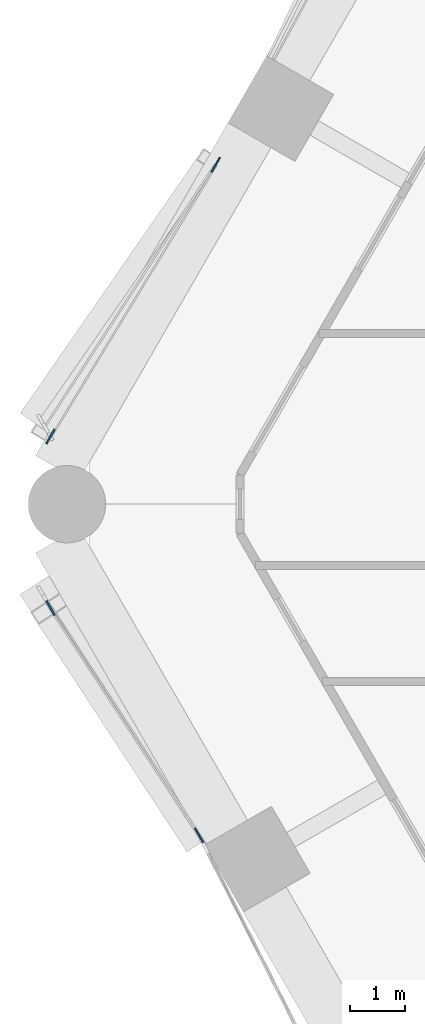
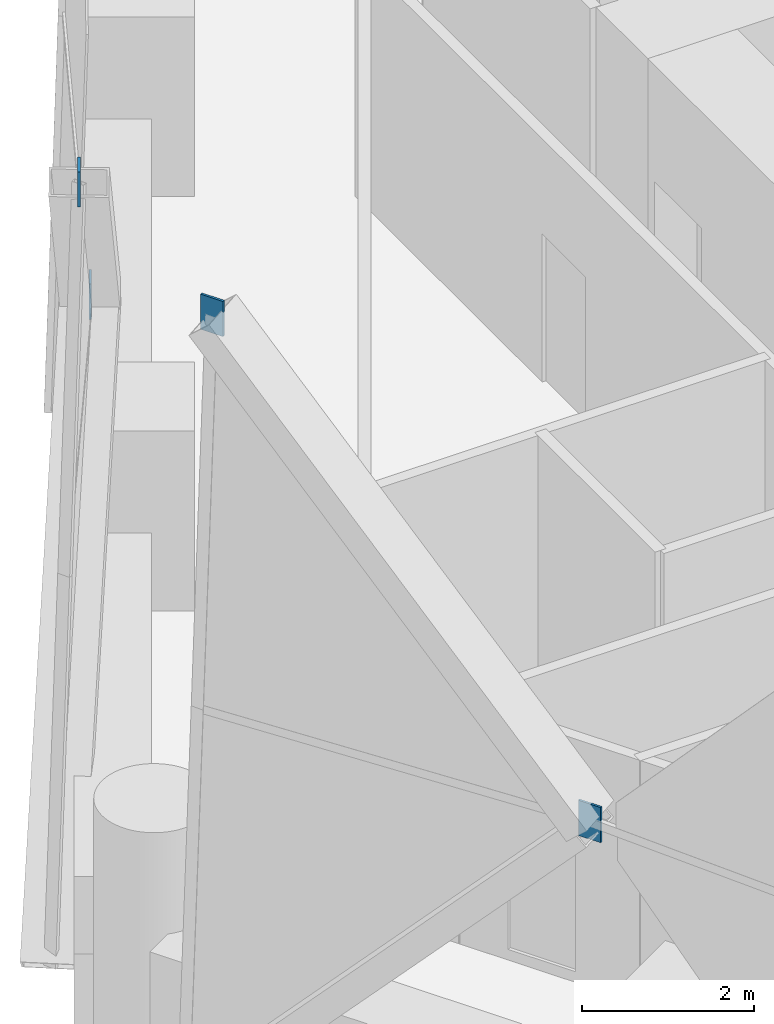
# One storey, part 14 of 16: 4 discrete accessories.
"""IFC4 building model written with IfcOpenShell, lengths in metres."""

from ifc_helpers import new_model, si_unit, direction, frame, origin, origin_2d, place, context, subcontext, project, spatial, rectangle, extrude, material, layer, layer_set, type_object, element, save


model = new_model("IFC4")

# Units and contexts
model_context = context("Model", 3, precision=1e-05, world=origin(), true_north=direction((0.0, 1.0)))
body_context = subcontext(model_context, "Body", "Model", "MODEL_VIEW")
ifc_project = project(units=[si_unit("LENGTHUNIT", "METRE"), si_unit("AREAUNIT", "SQUARE_METRE"), si_unit("VOLUMEUNIT", "CUBIC_METRE"), si_unit("PLANEANGLEUNIT", "RADIAN"), si_unit("MASSUNIT", "GRAM", prefix="KILO")], contexts=[model_context])

# Site, building, storey
site_placement = place(None, origin())
site = spatial("IfcSite", under=ifc_project, at=site_placement, CompositionType="ELEMENT")
building_placement = place(site_placement, origin())
building = spatial("IfcBuilding", under=site, at=building_placement, Name="Ostrander Bayou Hotel Tower", CompositionType="ELEMENT")
storey_placement = place(building_placement, frame((0.0, 0.0, 58.0)))
storey = spatial("IfcBuildingStorey", under=building, at=storey_placement, Name="L14", CompositionType="ELEMENT", Elevation=58.0)

# Discrete accessories
ifc_material = material(Name="Steel ASTM A572 Gr 50", Category="steel")
ifc_layer = layer(ifc_material, 0.030029296875)
ifc_layer_set = layer_set([ifc_layer], Name="GP1 gusset plate 30 mm")
discrete_accessory_type = type_object("IfcDiscreteAccessoryType", Name="GP1 gusset plate 30 mm", PredefinedType="BRACKET", material=ifc_layer_set)
for number, where, z_axis, x_axis, name in (
    (1, (-21.12353515625, 5.655029296875, 4.77490234375), (0.0, 0.0, 1.0), (-0.5, -0.866025403784, 0.0), "GP1 gusset plate lat 116"),
    (2, (-24.1162109375, 0.7333984375, 10.39990234375), (0.0, 0.0, 1.0), (-0.5, -0.866025403784, 0.0), "GP1 gusset plate lat 117"),
    (3, (-21.42626953125, -6.484619140625, 4.77490234375), (0.0, 0.0, 1.0), (0.5, -0.866025403784, 0.0), "GP1 gusset plate lat 118"),
    (4, (-24.1162109375, -2.369873046875, 10.39990234375), (0.0, 0.0, 1.0), (0.5, -0.866025403784, 0.0), "GP1 gusset plate lat 119"),
):
    element("IfcDiscreteAccessory", number, at=place(storey_placement, frame(where, z_axis=z_axis, x_axis=x_axis)), inside=storey, type_object=discrete_accessory_type, Name=name, PredefinedType="BRACKET", context=body_context, shape_type="SweptSolid", body=[
        extrude(rectangle(XDim=0.300048828125, YDim=0.030029296875, at=origin_2d()), origin(), (0.0, 0.0, 1.0), 0.5),
    ])

save(model, "model.ifc")
